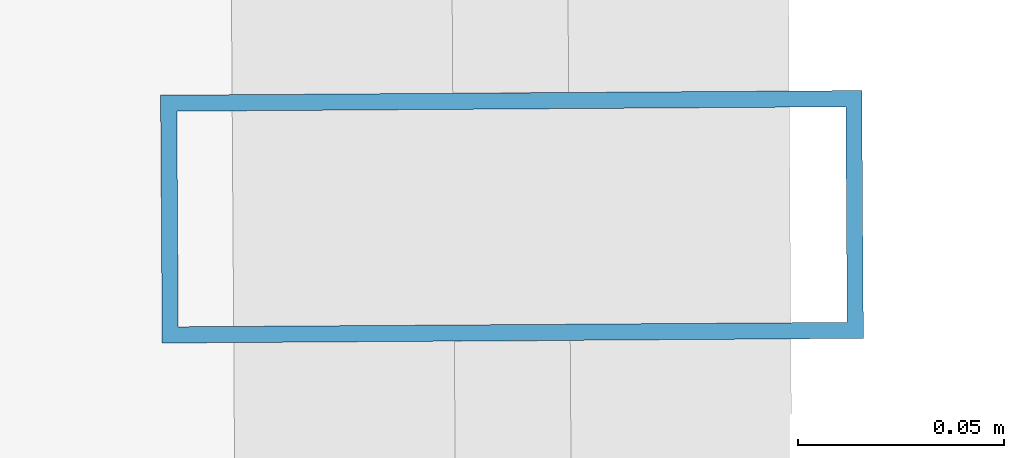
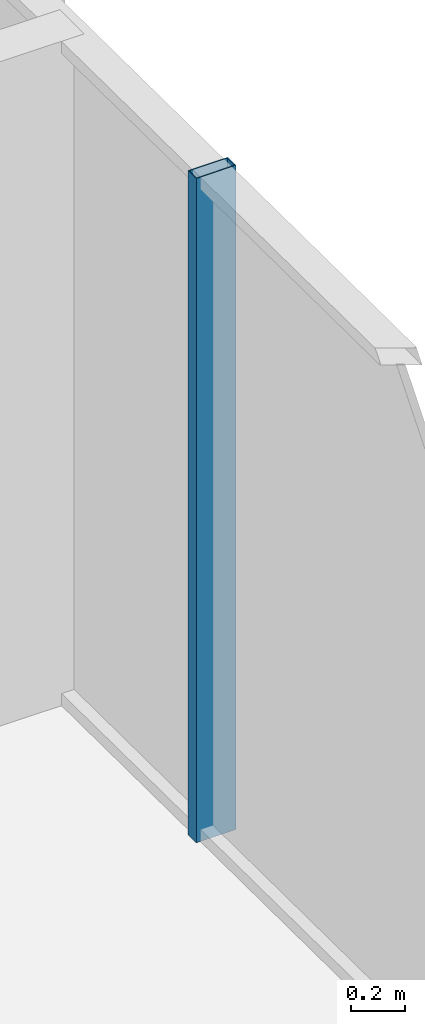
# One storey, part 14 of 30: 1 member, 1 element without a shape of its own.
"""IFC4 building model written with IfcOpenShell, lengths in metres."""

from ifc_helpers import new_model, si_unit, direction, frame, origin, origin_2d, place, context, subcontext, project, spatial, hollow_rectangle, extrude, source, transform, mapped, material, layer, layer_set, material_profile, profile_set, type_object, element, aggregate, save


model = new_model("IFC4")

# Units and contexts
model_context = context("Model", 3, precision=1e-05, world=origin(), true_north=direction((0.0, 1.0)))
body_context = subcontext(model_context, "Body", "Model", "MODEL_VIEW")
ifc_project = project(units=[si_unit("LENGTHUNIT", "METRE"), si_unit("AREAUNIT", "SQUARE_METRE"), si_unit("VOLUMEUNIT", "CUBIC_METRE"), si_unit("PLANEANGLEUNIT", "RADIAN"), si_unit("MASSUNIT", "GRAM", prefix="KILO")], contexts=[model_context])

# Site, building, storey
site_placement = place(None, origin())
site = spatial("IfcSite", under=ifc_project, at=site_placement, CompositionType="ELEMENT")
building_placement = place(site_placement, origin())
building = spatial("IfcBuilding", under=site, at=building_placement, Name="Veraguas Prism Commons", CompositionType="ELEMENT")
storey_placement = place(building_placement, frame((0.0, 0.0, 129.5)))
storey = spatial("IfcBuildingStorey", under=building, at=storey_placement, Name="L36", CompositionType="ELEMENT", Elevation=129.5)

# Curtain wall, member
ifc_material = material(Name="Anodised aluminium EN AW-6063 T6", Category="aluminium")
ifc_layer = layer(ifc_material, 0.169921875, Name="Unitised Flush Curtain Wall Zone 2", Category="aluminium")
ifc_layer_set = layer_set([ifc_layer], Name="Anodised aluminium EN AW-6063 T6")
curtain_wall_type = type_object("IfcCurtainWallType", Name="Unitised Flush Curtain Wall Zone 2", PredefinedType="NOTDEFINED", material=ifc_layer_set)
curtain_wall_placement = place(storey_placement, origin())
curtain_wall = element("IfcCurtainWall", 1, at=curtain_wall_placement, inside=storey, type_object=curtain_wall_type, Name="Tower Facade Curtain Wall L36-F6", PredefinedType="NOTDEFINED")
ifc_material_profile = material_profile(ifc_material, hollow_rectangle(XDim=0.06005859375, YDim=0.169921875, WallThickness=0.00390625, at=origin_2d()), Name="AL60X170X4")
ifc_profile_set = profile_set([ifc_material_profile], Name="Anodised aluminium EN AW-6063 T6")
member_type = type_object("IfcMemberType", Name="Curtain Wall Mullion Lower AL 60x170x4", PredefinedType="MULLION", material=ifc_profile_set)
shared_shape = source(origin(), body_context, "Body", "SweptSolid", [
    extrude(hollow_rectangle(XDim=0.06005859375, YDim=0.169921875, WallThickness=0.00390625, at=origin_2d()), origin(), (0.0, 0.0, 1.0), 3.0),
])
member_placement = place(storey_placement, frame((43.18212890625, 24.127197265625, 0.0), z_axis=(0.0, 0.0, 1.0), x_axis=(-0.006632202536, 0.999978006703, 0.0)))
member = element("IfcMember", 2, at=member_placement, type_object=member_type, Name="CW-Z2 Mullion 3", PredefinedType="MULLION", context=body_context, shape_type="MappedRepresentation", body=[
    mapped(shared_shape, transform((0.0, 0.0, 0.0), scale=1.0)),
])
aggregate(curtain_wall, [member])

save(model, "model.ifc")
